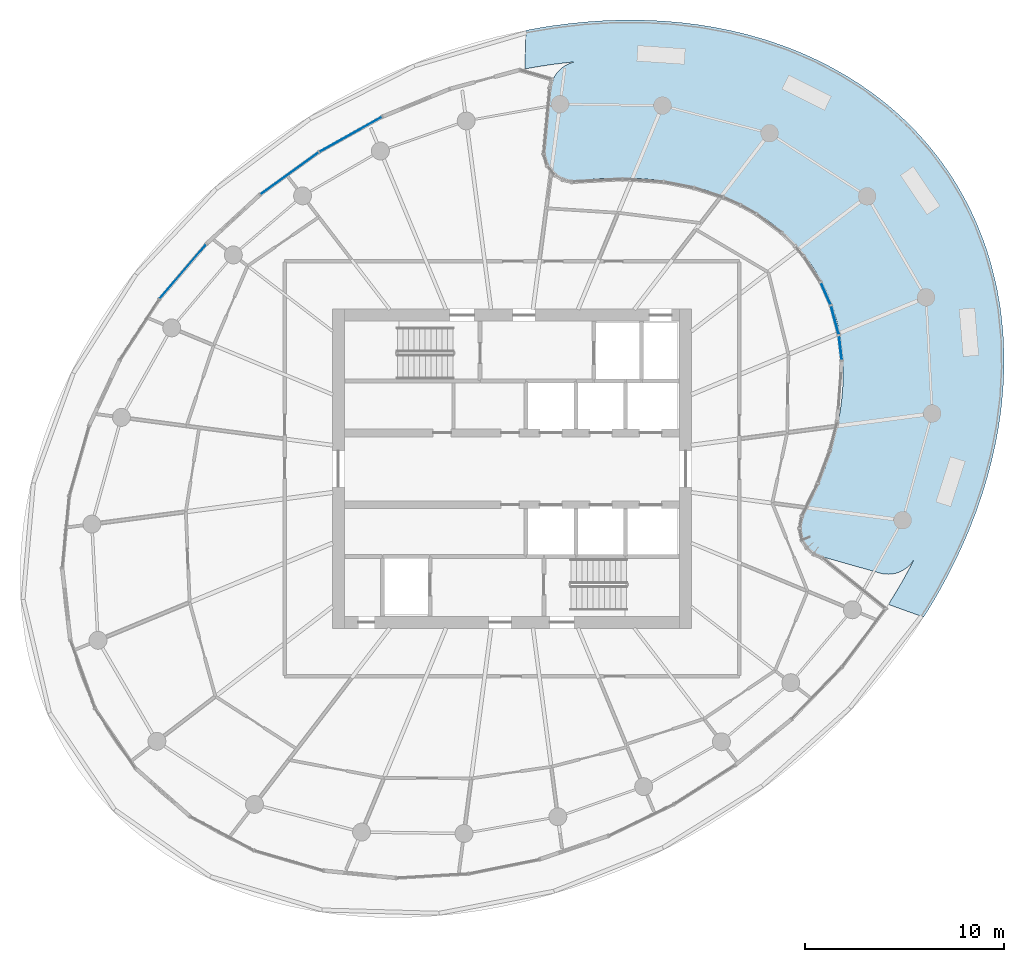
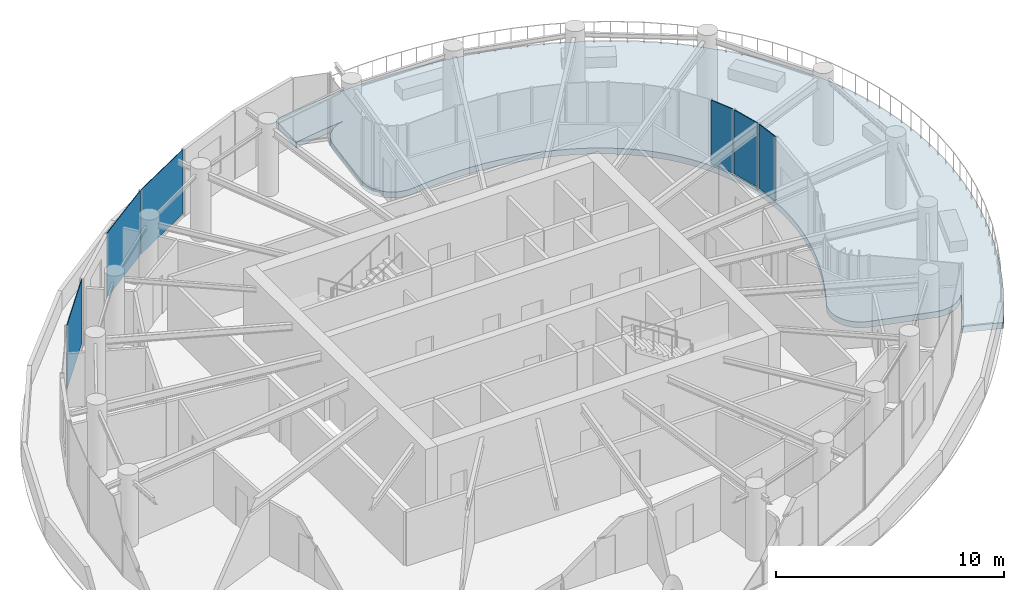
# One storey, part 9 of 19: 6 plates, 1 slab, 3 elements without a shape of their own.
"""IFC4 building model written with IfcOpenShell, lengths in metres."""

from ifc_helpers import new_model, si_unit, direction, frame, origin, origin_2d, place, context, subcontext, project, spatial, line, indexed_curve, rectangle, outline, extrude, source, transform, mapped, material, layer, layer_set, type_object, element, aggregate, save


model = new_model("IFC4")

# Units and contexts
model_context = context("Model", 3, precision=1e-05, world=origin(), true_north=direction((0.0, 1.0)))
body_context = subcontext(model_context, "Body", "Model", "MODEL_VIEW")
ifc_project = project(units=[si_unit("LENGTHUNIT", "METRE"), si_unit("AREAUNIT", "SQUARE_METRE"), si_unit("VOLUMEUNIT", "CUBIC_METRE"), si_unit("PLANEANGLEUNIT", "RADIAN"), si_unit("MASSUNIT", "GRAM", prefix="KILO")], contexts=[model_context])

# Site, building, storey
site_placement = place(None, origin())
site = spatial("IfcSite", under=ifc_project, at=site_placement, CompositionType="ELEMENT")
building_placement = place(site_placement, origin())
building = spatial("IfcBuilding", under=site, at=building_placement, Name="Spindrift Exchange Tower", CompositionType="ELEMENT")
storey_placement = place(building_placement, frame((0.0, 0.0, 183.800048828125)))
storey = spatial("IfcBuildingStorey", under=building, at=storey_placement, Name="L44", CompositionType="ELEMENT", Elevation=183.800048828125)

# Slab
ifc_material_1 = material(Name="Concrete 40 MPa", Category="concrete")
ifc_layer_1 = layer(ifc_material_1, 0.320068359375)
ifc_layer_set_1 = layer_set([ifc_layer_1], Name="RC Garden Terrace Slab 320 Concrete 40 MPa")
slab_type = type_object("IfcSlabType", Name="RC Garden Terrace Slab 320 Concrete 40 MPa", PredefinedType="FLOOR", material=ifc_layer_set_1)
slab_placement = place(storey_placement, frame((0.0, 0.0, -0.320068359375)))
element("IfcSlab", 1, at=slab_placement, inside=storey, type_object=slab_type, Name="Sky garden terrace L44", PredefinedType="FLOOR", context=body_context, shape_type="SweptSolid", body=[
    extrude(outline(indexed_curve([(55.26513671875, 68.4130859375), (54.74365234375, 68.362060546875), (54.00048828125, 68.26953125), (53.260009765625, 68.155517578125), (52.697509765625, 68.053955078125), (52.663818359375, 68.0595703125), (52.6435546875, 68.080810546875), (52.63818359375, 68.104736328125), (52.696533203125, 69.9423828125), (52.702880859375, 69.96533203125), (52.732177734375, 69.98876953125), (52.8388671875, 70.010009765625), (53.646240234375, 70.151123046875), (54.052001953125, 70.213134765625), (54.8662109375, 70.319580078125), (55.6826171875, 70.40185546875), (56.501220703125, 70.459716796875), (57.321044921875, 70.4921875), (58.1416015625, 70.49853515625), (58.9619140625, 70.478515625), (59.781005859375, 70.43115234375), (60.597900390625, 70.355712890625), (61.411865234375, 70.251708984375), (62.220703125, 70.118408203125), (63.025634765625, 69.954833984375), (63.822021484375, 69.760986328125), (64.611083984375, 69.535888671875), (65.001953125, 69.411376953125), (65.776611328125, 69.1376953125), (66.5380859375, 68.832275390625), (67.285400390625, 68.493896484375), (68.01611328125, 68.122802734375), (68.73095703125, 67.717529296875), (69.424072265625, 67.28076171875), (70.09619140625, 66.810302734375), (70.424072265625, 66.5625), (70.74560546875, 66.306640625), (71.060302734375, 66.04345703125), (71.36767578125, 65.772705078125), (71.668212890625, 65.494140625), (71.963134765625, 65.206298828125), (72.248779296875, 64.912841796875), (72.527587890625, 64.61181640625), (72.797607421875, 64.3037109375), (73.059814453125, 63.989013671875), (73.315185546875, 63.665283203125), (73.560546875, 63.33740234375), (73.797607421875, 63.00244140625), (74.025390625, 62.662109375), (74.244384765625, 62.315673828125), (74.455322265625, 61.961669921875), (74.655517578125, 61.6044921875), (74.8466796875, 61.2421875), (75.029296875, 60.873046875), (75.201171875, 60.50146484375), (75.3642578125, 60.1240234375), (75.51708984375, 59.743408203125), (75.660400390625, 59.359619140625), (75.794189453125, 58.97119140625), (75.91796875, 58.58056640625), (76.031982421875, 58.187255859375), (76.231201171875, 57.391845703125), (76.31689453125, 56.98876953125), (76.45849609375, 56.181884765625), (76.515380859375, 55.7744140625), (76.60107421875, 54.958251953125), (76.630126953125, 54.549072265625), (76.661376953125, 53.729248046875), (76.657470703125, 52.909912109375), (76.619140625, 52.089111328125), (76.548095703125, 51.273193359375), (76.5, 50.8642578125), (76.381103515625, 50.05322265625), (76.231201171875, 49.24560546875), (76.05224609375, 48.44580078125), (75.8447265625, 47.65185546875), (75.60986328125, 46.86572265625), (75.3486328125, 46.08837890625), (75.2080078125, 45.701416015625), (74.908935546875, 44.9375), (74.586181640625, 44.18408203125), (74.239501953125, 43.439208984375), (73.87158203125, 42.706787109375), (73.4814453125, 41.984619140625), (73.07080078125, 41.27392578125), (72.85791015625, 40.923095703125), (72.654541015625, 40.598388671875), (72.63720703125, 40.58154296875), (72.59521484375, 40.577880859375), (70.923583984375, 41.180419921875), (70.89990234375, 41.197998046875), (70.890869140625, 41.220703125), (70.898193359375, 41.254150390625), (71.199951171875, 41.7392578125), (71.578857421875, 42.385498046875), (71.938720703125, 43.042236328125), (72.178466796875, 43.50830078125), (72.125, 43.4140625), (72.039794921875, 43.292724609375), (71.944580078125, 43.182373046875), (71.839111328125, 43.081787109375), (71.71630859375, 42.986083984375), (71.59521484375, 42.90966796875), (71.46484375, 42.843994140625), (71.319580078125, 42.788330078125), (71.178955078125, 42.75), (71.03515625, 42.7255859375), (70.88720703125, 42.71533203125), (70.74169921875, 42.719482421875), (70.589599609375, 42.73876953125), (70.444580078125, 42.772216796875), (67.558349609375, 43.590087890625), (67.416748046875, 43.6376953125), (67.283203125, 43.697998046875), (67.15185546875, 43.773681640625), (67.03076171875, 43.8603515625), (66.9189453125, 43.958984375), (66.8173828125, 44.06787109375), (66.727294921875, 44.186279296875), (66.649169921875, 44.313232421875), (66.584228515625, 44.447265625), (66.53271484375, 44.587158203125), (66.495361328125, 44.7314453125), (66.47265625, 44.876220703125), (66.464111328125, 45.02978515625), (66.470703125, 45.176025390625), (66.49169921875, 45.321044921875), (66.529296875, 45.472900390625), (66.57861328125, 45.61083984375), (66.64111328125, 45.74267578125), (66.894287109375, 46.224853515625), (67.140380859375, 46.7294921875), (67.48583984375, 47.5146484375), (67.697509765625, 48.056396484375), (67.887939453125, 48.59912109375), (67.98291015625, 48.8955078125), (68.14453125, 49.45751953125), (68.22314453125, 49.765380859375), (68.351318359375, 50.343505859375), (68.4580078125, 50.94775390625), (68.538818359375, 51.57958984375), (68.586669921875, 52.201416015625), (68.60205078125, 52.8076171875), (68.597412109375, 53.12158203125), (68.559326171875, 53.772216796875), (68.48779296875, 54.377197265625), (68.436279296875, 54.68896484375), (68.375, 54.999755859375), (68.303955078125, 55.30810546875), (68.2158203125, 55.637939453125), (68.123046875, 55.941162109375), (68.020263671875, 56.2412109375), (67.906982421875, 56.537841796875), (67.783447265625, 56.829345703125), (67.661376953125, 57.0927734375), (67.518310546875, 57.37548828125), (67.364990234375, 57.6533203125), (67.201904296875, 57.9248046875), (67.01416015625, 58.212646484375), (66.830810546875, 58.471435546875), (66.638427734375, 58.72314453125), (66.437255859375, 58.967529296875), (66.2451171875, 59.185302734375), (66.0087890625, 59.43408203125), (65.7822265625, 59.65625), (65.54833984375, 59.869873046875), (65.0791015625, 60.256591796875), (64.804931640625, 60.460205078125), (64.544189453125, 60.640380859375), (64.2783203125, 60.811767578125), (63.751708984375, 61.11767578125), (63.471435546875, 61.263916015625), (63.167724609375, 61.410888671875), (62.880615234375, 61.539306640625), (62.316650390625, 61.764404296875), (61.7060546875, 61.970703125), (61.407958984375, 62.05859375), (60.82568359375, 62.20751953125), (60.20751953125, 62.335205078125), (59.9072265625, 62.38671875), (59.32275390625, 62.4677734375), (59.00927734375, 62.501708984375), (58.416015625, 62.547607421875), (57.84130859375, 62.57080078125), (57.259521484375, 62.57373046875), (56.402587890625, 62.542236328125), (55.84228515625, 62.49951171875), (55.300048828125, 62.441650390625), (55.154541015625, 62.432373046875), (55.00830078125, 62.4375), (54.853271484375, 62.458251953125), (54.710693359375, 62.492431640625), (54.570068359375, 62.541015625), (54.43701171875, 62.6025390625), (54.310546875, 62.676513671875), (54.18408203125, 62.768798828125), (54.0751953125, 62.866455078125), (53.974609375, 62.976318359375), (53.885498046875, 63.095703125), (53.808349609375, 63.223388671875), (53.744384765625, 63.35791015625), (53.694091796875, 63.498046875), (53.658203125, 63.642578125), (53.63623046875, 63.79248046875), (53.629638671875, 63.938720703125), (53.637451171875, 64.088134765625), (53.94140625, 67.07275390625), (53.9638671875, 67.2197265625), (54.000244140625, 67.363525390625), (54.0498046875, 67.50048828125), (54.115966796875, 67.638671875), (54.191650390625, 67.76318359375), (54.279052734375, 67.8798828125), (54.384521484375, 67.994384765625), (54.493408203125, 68.09130859375), (54.609130859375, 68.17578125), (54.743408203125, 68.2548828125), (54.875732421875, 68.315673828125), (55.013427734375, 68.36328125), (55.15771484375, 68.398193359375)], segments=[line(1, 2, 3, 4, 5, 6, 7, 8, 9, 10, 11, 12, 13, 14, 15, 16, 17, 18, 19, 20, 21, 22, 23, 24, 25, 26, 27, 28, 29, 30, 31, 32, 33, 34, 35, 36, 37, 38, 39, 40, 41, 42, 43, 44, 45, 46, 47, 48, 49, 50, 51, 52, 53, 54, 55, 56, 57, 58, 59, 60, 61, 62, 63, 64, 65, 66, 67, 68, 69, 70, 71, 72, 73, 74, 75, 76, 77, 78, 79, 80, 81, 82, 83, 84, 85, 86, 87, 88, 89, 90, 91, 92, 93, 94, 95, 96, 97, 98, 99, 100, 101, 102, 103, 104, 105, 106, 107, 108, 109, 110, 111, 112, 113, 114, 115, 116, 117, 118, 119, 120, 121, 122, 123, 124, 125, 126, 127, 128, 129, 130, 131, 132, 133, 134, 135, 136, 137, 138, 139, 140, 141, 142, 143, 144, 145, 146, 147, 148, 149, 150, 151, 152, 153, 154, 155, 156, 157, 158, 159, 160, 161, 162, 163, 164, 165, 166, 167, 168, 169, 170, 171, 172, 173, 174, 175, 176, 177, 178, 179, 180, 181, 182, 183, 184, 185, 186, 187, 188, 189, 190, 191, 192, 193, 194, 195, 196, 197, 198, 199, 200, 201, 202, 203, 204, 205, 206, 207, 208, 209, 210, 211, 212, 213, 214, 215, 216, 217, 218, 219, 220, 1)], self_intersect=False)), origin(), (0.0, 0.0, 1.0), 0.320068359375),
])

# Curtain wall, plates
ifc_material_2 = material(Name="Fritted laminated glass with bronze frame", Category="glass")
ifc_layer_2 = layer(ifc_material_2, 0.169921875)
ifc_layer_set_2 = layer_set([ifc_layer_2], Name="ZONE 4 BRONZE FRITTED WALL")
curtain_wall_type_1 = type_object("IfcCurtainWallType", Name="ZONE 4 BRONZE FRITTED WALL", PredefinedType="NOTDEFINED", material=ifc_layer_set_2)
curtain_wall_1_placement = place(storey_placement, origin())
curtain_wall_1 = element("IfcCurtainWall", 2, at=curtain_wall_1_placement, inside=storey, type_object=curtain_wall_type_1, Name="L44 Zone 4 Bronze Fritted Wall run 1", PredefinedType="NOTDEFINED")
ifc_material_3 = material(Name="Bronze tinted laminated glass, light frit", Category="glass")
ifc_layer_3 = layer(ifc_material_3, 0.030029296875)
ifc_layer_set_3 = layer_set([ifc_layer_3], Name="ZONE 4 BRONZE FRITTED WALL PANEL LIGHT FRIT 960")
plate_type_1 = type_object("IfcPlateType", Name="ZONE 4 BRONZE FRITTED WALL PANEL LIGHT FRIT 960", PredefinedType="CURTAIN_PANEL", material=ifc_layer_set_3)
shared_shape_1 = source(origin(), body_context, "Body", "SweptSolid", [
    extrude(rectangle(XDim=3.577880859375, YDim=0.030029296875, at=origin_2d()), origin(), (0.0, 0.0, 1.0), 3.455078125),
])
plate_1_placement = place(storey_placement, frame((43.909912109375, 64.763427734375, 0.125), z_axis=(0.0, 0.0, 1.0), x_axis=(-0.873136564717, -0.487475680782, 0.0)))
plate_1 = element("IfcPlate", 3, at=plate_1_placement, type_object=plate_type_1, Name="L44 panel CW-4.3", PredefinedType="CURTAIN_PANEL", context=body_context, shape_type="MappedRepresentation", body=[
    mapped(shared_shape_1, transform((0.0, 0.0, 0.0), scale=1.0)),
])
ifc_layer_4 = layer(ifc_material_3, 0.030029296875)
ifc_layer_set_4 = layer_set([ifc_layer_4], Name="ZONE 4 BRONZE FRITTED WALL PANEL LIGHT FRIT 1200")
plate_type_2 = type_object("IfcPlateType", Name="ZONE 4 BRONZE FRITTED WALL PANEL LIGHT FRIT 1200", PredefinedType="CURTAIN_PANEL", material=ifc_layer_set_4)
shared_shape_2 = source(origin(), body_context, "Body", "SweptSolid", [
    extrude(rectangle(XDim=3.577880859375, YDim=0.030029296875, at=origin_2d()), origin(), (0.0, 0.0, 1.0), 3.455078125),
])
plate_2_placement = place(storey_placement, frame((40.84326171875, 62.808837890625, 0.125), z_axis=(0.0, 0.0, 1.0), x_axis=(-0.810584724706, -0.585621382869, 0.0)))
plate_2 = element("IfcPlate", 4, at=plate_2_placement, type_object=plate_type_2, Name="L44 panel CW-4.4", PredefinedType="CURTAIN_PANEL", context=body_context, shape_type="MappedRepresentation", body=[
    mapped(shared_shape_2, transform((0.0, 0.0, 0.0), scale=1.0)),
])
shared_shape_3 = source(origin(), body_context, "Body", "SweptSolid", [
    extrude(rectangle(XDim=3.577392578125, YDim=0.030029296875, at=origin_2d()), origin(), (0.0, 0.0, 1.0), 3.455078125),
])
plate_3_placement = place(storey_placement, frame((35.501708984375, 57.89306640625, 0.125), z_axis=(0.0, 0.0, 1.0), x_axis=(-0.649191869846, -0.760624688086, 0.0)))
plate_3 = element("IfcPlate", 5, at=plate_3_placement, type_object=plate_type_1, Name="L44 panel CW-4.6", PredefinedType="CURTAIN_PANEL", context=body_context, shape_type="MappedRepresentation", body=[
    mapped(shared_shape_3, transform((0.0, 0.0, 0.0), scale=1.0)),
])
aggregate(curtain_wall_1, [plate_1, plate_2, plate_3])

# Curtain wall, plate
ifc_layer_5 = layer(ifc_material_2, 0.199951171875)
ifc_layer_set_5 = layer_set([ifc_layer_5], Name="SKY GARDEN BRONZE GLAZED WALL")
curtain_wall_type_2 = type_object("IfcCurtainWallType", Name="SKY GARDEN BRONZE GLAZED WALL", PredefinedType="NOTDEFINED", material=ifc_layer_set_5)
curtain_wall_2_placement = place(storey_placement, origin())
curtain_wall_2 = element("IfcCurtainWall", 6, at=curtain_wall_2_placement, inside=storey, type_object=curtain_wall_type_2, Name="L44 Sky Garden Bronze Glazed Wall run 7", PredefinedType="NOTDEFINED")
ifc_material_4 = material(Name="Bronze tinted laminated glass, clear vision", Category="glass")
ifc_layer_6 = layer(ifc_material_4, 0.0380859375)
ifc_layer_set_6 = layer_set([ifc_layer_6], Name="SKY GARDEN BRONZE GLAZED WALL PANEL CLEAR 1920")
plate_type_3 = type_object("IfcPlateType", Name="SKY GARDEN BRONZE GLAZED WALL PANEL CLEAR 1920", PredefinedType="CURTAIN_PANEL", material=ifc_layer_set_6)
shared_shape_4 = source(origin(), body_context, "Body", "SweptSolid", [
    extrude(rectangle(XDim=1.194091796875, YDim=0.0380859375, at=origin_2d()), origin(), (0.0, 0.0, 1.0), 3.429931640625),
])
plate_4_placement = place(storey_placement, frame((68.46044921875, 54.06884765625, 0.14990234375), z_axis=(0.0, 0.0, 1.0), x_axis=(-0.11805735075, 0.993006778393, 0.0)))
plate_4 = element("IfcPlate", 7, at=plate_4_placement, type_object=plate_type_3, Name="L44 panel CW-G.37", PredefinedType="CURTAIN_PANEL", context=body_context, shape_type="MappedRepresentation", body=[
    mapped(shared_shape_4, transform((0.0, 0.0, 0.0), scale=1.0)),
])
aggregate(curtain_wall_2, [plate_4])

# Curtain wall, plates
curtain_wall_3_placement = place(storey_placement, origin())
curtain_wall_3 = element("IfcCurtainWall", 8, at=curtain_wall_3_placement, inside=storey, type_object=curtain_wall_type_2, Name="L44 Sky Garden Bronze Glazed Wall run 8", PredefinedType="NOTDEFINED")
ifc_layer_7 = layer(ifc_material_4, 0.0380859375)
ifc_layer_set_7 = layer_set([ifc_layer_7], Name="SKY GARDEN BRONZE GLAZED WALL PANEL CLEAR 1560")
plate_type_4 = type_object("IfcPlateType", Name="SKY GARDEN BRONZE GLAZED WALL PANEL CLEAR 1560", PredefinedType="CURTAIN_PANEL", material=ifc_layer_set_7)
shared_shape_5 = source(origin(), body_context, "Body", "SweptSolid", [
    extrude(rectangle(XDim=1.465087890625, YDim=0.0380859375, at=origin_2d()), origin(), (0.0, 0.0, 1.0), 3.429931640625),
])
plate_5_placement = place(storey_placement, frame((68.18408203125, 55.452392578125, 0.14990234375), z_axis=(0.0, 0.0, 1.0), x_axis=(-0.25886287716, 0.965914080459, 0.0)))
plate_5 = element("IfcPlate", 9, at=plate_5_placement, type_object=plate_type_4, Name="L44 panel CW-G.38", PredefinedType="CURTAIN_PANEL", context=body_context, shape_type="MappedRepresentation", body=[
    mapped(shared_shape_5, transform((0.0, 0.0, 0.0), scale=1.0)),
])
shared_shape_6 = source(origin(), body_context, "Body", "SweptSolid", [
    extrude(rectangle(XDim=1.174560546875, YDim=0.0380859375, at=origin_2d()), origin(), (0.0, 0.0, 1.0), 3.429931640625),
])
plate_6_placement = place(storey_placement, frame((67.7294921875, 56.777587890625, 0.14990234375), z_axis=(0.0, 0.0, 1.0), x_axis=(-0.403337688203, 0.915051205821, 0.0)))
plate_6 = element("IfcPlate", 10, at=plate_6_placement, type_object=plate_type_3, Name="L44 panel CW-G.39", PredefinedType="CURTAIN_PANEL", context=body_context, shape_type="MappedRepresentation", body=[
    mapped(shared_shape_6, transform((0.0, 0.0, 0.0), scale=1.0)),
])
aggregate(curtain_wall_3, [plate_5, plate_6])

save(model, "model.ifc")
